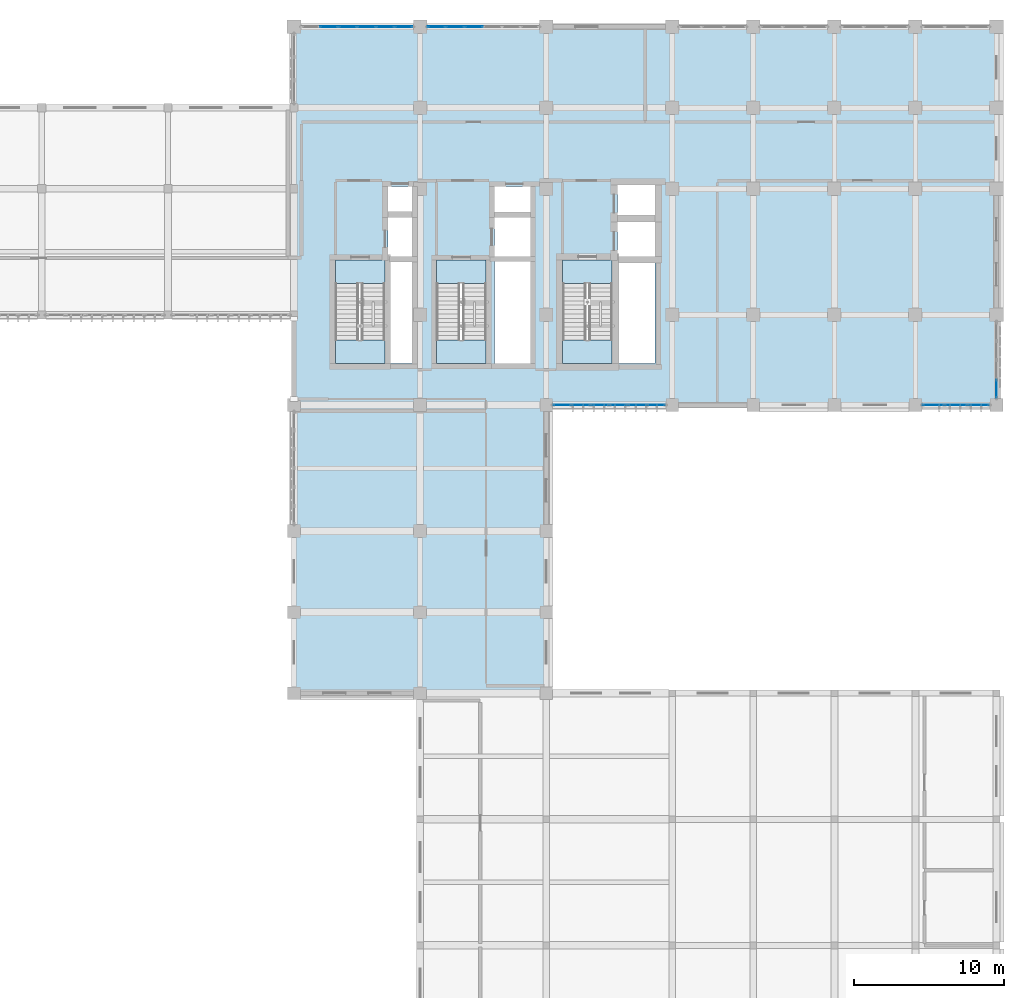
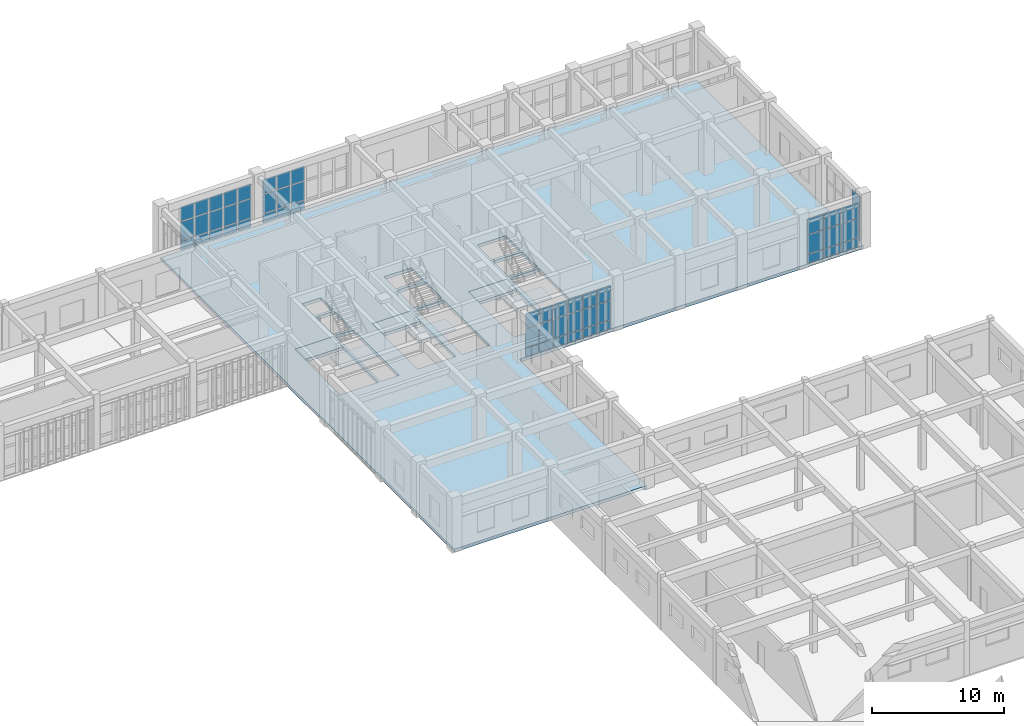
# One storey, part 78 of 106: 54 plates, 7 slabs, 8 elements without a shape of their own.
"""IFC4 building model written with IfcOpenShell, lengths in metres."""

from ifc_helpers import new_model, si_unit, direction, frame, origin, origin_2d, place, context, subcontext, project, spatial, polyline, rectangle, outline, extrude, material, layer, layer_set, type_object, element, aggregate, save


model = new_model("IFC4")

# Units and contexts
model_context = context("Model", 3, precision=1e-05, world=origin(), true_north=direction((0.0, 1.0)))
body_context = subcontext(model_context, "Body", "Model", "MODEL_VIEW")
ifc_project = project(units=[si_unit("LENGTHUNIT", "METRE"), si_unit("AREAUNIT", "SQUARE_METRE"), si_unit("VOLUMEUNIT", "CUBIC_METRE"), si_unit("PLANEANGLEUNIT", "RADIAN"), si_unit("MASSUNIT", "GRAM", prefix="KILO")], contexts=[model_context])

# Site, building, storey
site_placement = place(None, origin())
site = spatial("IfcSite", under=ifc_project, at=site_placement, CompositionType="ELEMENT")
building_placement = place(site_placement, origin())
building = spatial("IfcBuilding", under=site, at=building_placement, Name="Krzemoval Escarpment Law Courts", CompositionType="ELEMENT")
storey_placement = place(building_placement, frame((0.0, 0.0, 5.10009765625)))
storey = spatial("IfcBuildingStorey", under=building, at=storey_placement, Name="L01", CompositionType="ELEMENT", Elevation=5.10009765625)

# Curtain wall, plates
ifc_material_1 = material(Name="Aluminium 6063-T6", Category="aluminium")
ifc_layer_1 = layer(ifc_material_1, 0.239990234375)
ifc_layer_set_1 = layer_set([ifc_layer_1], Name="Aluminium 6063-T6")
curtain_wall_type = type_object("IfcCurtainWallType", Name="CW-CHMB-4800", PredefinedType="USERDEFINED", material=ifc_layer_set_1)
curtain_wall_1_placement = place(storey_placement, origin())
curtain_wall_1 = element("IfcCurtainWall", 1, at=curtain_wall_1_placement, inside=storey, type_object=curtain_wall_type, Name="Unitised Curtain Wall FCW-L01-032", ObjectType="UNITISED_CURTAIN_WALL", PredefinedType="USERDEFINED")
ifc_material_2 = material(Name="Triple Glazing IGU", Category="glass")
ifc_layer_2 = layer(ifc_material_2, 0.048095703125)
ifc_layer_set_2 = layer_set([ifc_layer_2], Name="Triple Glazing IGU")
plate_type = type_object("IfcPlateType", Name="CWP-GLZ-48", PredefinedType="CURTAIN_PANEL", material=ifc_layer_set_2)
plate_1_placement = place(storey_placement, frame((128.324951171875, 118.800048828125, 0.074951171875), z_axis=(0.0, 0.0, 1.0), x_axis=(1.0, 0.0, 0.0)))
plate_1 = element("IfcPlate", 2, at=plate_1_placement, type_object=plate_type, Name="FCW-L01-032 panel 2.1", PredefinedType="CURTAIN_PANEL", context=body_context, shape_type="SweptSolid", body=[
    extrude(rectangle(XDim=1.175048828125, YDim=0.048095703125, at=origin_2d()), origin(), (0.0, 0.0, 1.0), 0.78759765625),
])
plate_2_placement = place(storey_placement, frame((128.324951171875, 118.800048828125, 0.937255859375), z_axis=(0.0, 0.0, 1.0), x_axis=(1.0, 0.0, 0.0)))
plate_2 = element("IfcPlate", 3, at=plate_2_placement, type_object=plate_type, Name="FCW-L01-032 panel 2.2", PredefinedType="CURTAIN_PANEL", context=body_context, shape_type="SweptSolid", body=[
    extrude(rectangle(XDim=1.175048828125, YDim=0.048095703125, at=origin_2d()), origin(), (0.0, 0.0, 1.0), 1.72509765625),
])
plate_3_placement = place(storey_placement, frame((128.324951171875, 118.800048828125, 2.7373046875), z_axis=(0.0, 0.0, 1.0), x_axis=(1.0, 0.0, 0.0)))
plate_3 = element("IfcPlate", 4, at=plate_3_placement, type_object=plate_type, Name="FCW-L01-032 panel 2.3", PredefinedType="CURTAIN_PANEL", context=body_context, shape_type="SweptSolid", body=[
    extrude(rectangle(XDim=1.175048828125, YDim=0.048095703125, at=origin_2d()), origin(), (0.0, 0.0, 1.0), 1.3076171875),
])
plate_4_placement = place(storey_placement, frame((129.574951171875, 118.800048828125, 0.074951171875), z_axis=(0.0, 0.0, 1.0), x_axis=(1.0, 0.0, 0.0)))
plate_4 = element("IfcPlate", 5, at=plate_4_placement, type_object=plate_type, Name="FCW-L01-032 panel 3.1", PredefinedType="CURTAIN_PANEL", context=body_context, shape_type="SweptSolid", body=[
    extrude(rectangle(XDim=1.175048828125, YDim=0.048095703125, at=origin_2d()), origin(), (0.0, 0.0, 1.0), 0.78759765625),
])
plate_5_placement = place(storey_placement, frame((129.574951171875, 118.800048828125, 0.937255859375), z_axis=(0.0, 0.0, 1.0), x_axis=(1.0, 0.0, 0.0)))
plate_5 = element("IfcPlate", 6, at=plate_5_placement, type_object=plate_type, Name="FCW-L01-032 panel 3.2", PredefinedType="CURTAIN_PANEL", context=body_context, shape_type="SweptSolid", body=[
    extrude(rectangle(XDim=1.175048828125, YDim=0.048095703125, at=origin_2d()), origin(), (0.0, 0.0, 1.0), 1.72509765625),
])
plate_6_placement = place(storey_placement, frame((129.574951171875, 118.800048828125, 2.7373046875), z_axis=(0.0, 0.0, 1.0), x_axis=(1.0, 0.0, 0.0)))
plate_6 = element("IfcPlate", 7, at=plate_6_placement, type_object=plate_type, Name="FCW-L01-032 panel 3.3", PredefinedType="CURTAIN_PANEL", context=body_context, shape_type="SweptSolid", body=[
    extrude(rectangle(XDim=1.175048828125, YDim=0.048095703125, at=origin_2d()), origin(), (0.0, 0.0, 1.0), 1.3076171875),
])
plate_7_placement = place(storey_placement, frame((130.824951171875, 118.800048828125, 0.074951171875), z_axis=(0.0, 0.0, 1.0), x_axis=(1.0, 0.0, 0.0)))
plate_7 = element("IfcPlate", 8, at=plate_7_placement, type_object=plate_type, Name="FCW-L01-032 panel 4.1", PredefinedType="CURTAIN_PANEL", context=body_context, shape_type="SweptSolid", body=[
    extrude(rectangle(XDim=1.175048828125, YDim=0.048095703125, at=origin_2d()), origin(), (0.0, 0.0, 1.0), 0.78759765625),
])
plate_8_placement = place(storey_placement, frame((130.824951171875, 118.800048828125, 0.937255859375), z_axis=(0.0, 0.0, 1.0), x_axis=(1.0, 0.0, 0.0)))
plate_8 = element("IfcPlate", 9, at=plate_8_placement, type_object=plate_type, Name="FCW-L01-032 panel 4.2", PredefinedType="CURTAIN_PANEL", context=body_context, shape_type="SweptSolid", body=[
    extrude(rectangle(XDim=1.175048828125, YDim=0.048095703125, at=origin_2d()), origin(), (0.0, 0.0, 1.0), 1.72509765625),
])
plate_9_placement = place(storey_placement, frame((130.824951171875, 118.800048828125, 2.7373046875), z_axis=(0.0, 0.0, 1.0), x_axis=(1.0, 0.0, 0.0)))
plate_9 = element("IfcPlate", 10, at=plate_9_placement, type_object=plate_type, Name="FCW-L01-032 panel 4.3", PredefinedType="CURTAIN_PANEL", context=body_context, shape_type="SweptSolid", body=[
    extrude(rectangle(XDim=1.175048828125, YDim=0.048095703125, at=origin_2d()), origin(), (0.0, 0.0, 1.0), 1.3076171875),
])
plate_10_placement = place(storey_placement, frame((132.074951171875, 118.800048828125, 0.074951171875), z_axis=(0.0, 0.0, 1.0), x_axis=(1.0, 0.0, 0.0)))
plate_10 = element("IfcPlate", 11, at=plate_10_placement, type_object=plate_type, Name="FCW-L01-032 panel 5.1", PredefinedType="CURTAIN_PANEL", context=body_context, shape_type="SweptSolid", body=[
    extrude(rectangle(XDim=1.175048828125, YDim=0.048095703125, at=origin_2d()), origin(), (0.0, 0.0, 1.0), 0.78759765625),
])
plate_11_placement = place(storey_placement, frame((132.074951171875, 118.800048828125, 0.937255859375), z_axis=(0.0, 0.0, 1.0), x_axis=(1.0, 0.0, 0.0)))
plate_11 = element("IfcPlate", 12, at=plate_11_placement, type_object=plate_type, Name="FCW-L01-032 panel 5.2", PredefinedType="CURTAIN_PANEL", context=body_context, shape_type="SweptSolid", body=[
    extrude(rectangle(XDim=1.175048828125, YDim=0.048095703125, at=origin_2d()), origin(), (0.0, 0.0, 1.0), 1.72509765625),
])
plate_12_placement = place(storey_placement, frame((132.074951171875, 118.800048828125, 2.7373046875), z_axis=(0.0, 0.0, 1.0), x_axis=(1.0, 0.0, 0.0)))
plate_12 = element("IfcPlate", 13, at=plate_12_placement, type_object=plate_type, Name="FCW-L01-032 panel 5.3", PredefinedType="CURTAIN_PANEL", context=body_context, shape_type="SweptSolid", body=[
    extrude(rectangle(XDim=1.175048828125, YDim=0.048095703125, at=origin_2d()), origin(), (0.0, 0.0, 1.0), 1.3076171875),
])
plate_13_placement = place(storey_placement, frame((133.30615234375, 118.800048828125, 0.074951171875), z_axis=(0.0, 0.0, 1.0), x_axis=(1.0, 0.0, 0.0)))
plate_13 = element("IfcPlate", 14, at=plate_13_placement, type_object=plate_type, Name="FCW-L01-032 panel 6.1", PredefinedType="CURTAIN_PANEL", context=body_context, shape_type="SweptSolid", body=[
    extrude(rectangle(XDim=1.137451171875, YDim=0.048095703125, at=origin_2d()), origin(), (0.0, 0.0, 1.0), 0.78759765625),
])
plate_14_placement = place(storey_placement, frame((133.30615234375, 118.800048828125, 0.937255859375), z_axis=(0.0, 0.0, 1.0), x_axis=(1.0, 0.0, 0.0)))
plate_14 = element("IfcPlate", 15, at=plate_14_placement, type_object=plate_type, Name="FCW-L01-032 panel 6.2", PredefinedType="CURTAIN_PANEL", context=body_context, shape_type="SweptSolid", body=[
    extrude(rectangle(XDim=1.137451171875, YDim=0.048095703125, at=origin_2d()), origin(), (0.0, 0.0, 1.0), 1.72509765625),
])
plate_15_placement = place(storey_placement, frame((133.30615234375, 118.800048828125, 2.7373046875), z_axis=(0.0, 0.0, 1.0), x_axis=(1.0, 0.0, 0.0)))
plate_15 = element("IfcPlate", 16, at=plate_15_placement, type_object=plate_type, Name="FCW-L01-032 panel 6.3", PredefinedType="CURTAIN_PANEL", context=body_context, shape_type="SweptSolid", body=[
    extrude(rectangle(XDim=1.137451171875, YDim=0.048095703125, at=origin_2d()), origin(), (0.0, 0.0, 1.0), 1.3076171875),
])
aggregate(curtain_wall_1, [plate_1, plate_2, plate_3, plate_4, plate_5, plate_6, plate_7, plate_8, plate_9, plate_10, plate_11, plate_12, plate_13, plate_14, plate_15])

curtain_wall_2_placement = place(storey_placement, origin())
curtain_wall_2 = element("IfcCurtainWall", 17, at=curtain_wall_2_placement, inside=storey, type_object=curtain_wall_type, Name="Unitised Curtain Wall FCW-L01-033", ObjectType="UNITISED_CURTAIN_WALL", PredefinedType="USERDEFINED")
plate_16_placement = place(storey_placement, frame((135.49365234375, 118.800048828125, 0.074951171875), z_axis=(0.0, 0.0, 1.0), x_axis=(1.0, 0.0, 0.0)))
plate_16 = element("IfcPlate", 18, at=plate_16_placement, type_object=plate_type, Name="FCW-L01-033 panel 1.1", PredefinedType="CURTAIN_PANEL", context=body_context, shape_type="SweptSolid", body=[
    extrude(rectangle(XDim=1.137451171875, YDim=0.048095703125, at=origin_2d()), origin(), (0.0, 0.0, 1.0), 0.78759765625),
])
plate_17_placement = place(storey_placement, frame((135.49365234375, 118.800048828125, 0.937255859375), z_axis=(0.0, 0.0, 1.0), x_axis=(1.0, 0.0, 0.0)))
plate_17 = element("IfcPlate", 19, at=plate_17_placement, type_object=plate_type, Name="FCW-L01-033 panel 1.2", PredefinedType="CURTAIN_PANEL", context=body_context, shape_type="SweptSolid", body=[
    extrude(rectangle(XDim=1.137451171875, YDim=0.048095703125, at=origin_2d()), origin(), (0.0, 0.0, 1.0), 1.72509765625),
])
plate_18_placement = place(storey_placement, frame((135.49365234375, 118.800048828125, 2.7373046875), z_axis=(0.0, 0.0, 1.0), x_axis=(1.0, 0.0, 0.0)))
plate_18 = element("IfcPlate", 20, at=plate_18_placement, type_object=plate_type, Name="FCW-L01-033 panel 1.3", PredefinedType="CURTAIN_PANEL", context=body_context, shape_type="SweptSolid", body=[
    extrude(rectangle(XDim=1.137451171875, YDim=0.048095703125, at=origin_2d()), origin(), (0.0, 0.0, 1.0), 1.3076171875),
])
plate_19_placement = place(storey_placement, frame((136.72509765625, 118.800048828125, 0.074951171875), z_axis=(0.0, 0.0, 1.0), x_axis=(1.0, 0.0, 0.0)))
plate_19 = element("IfcPlate", 21, at=plate_19_placement, type_object=plate_type, Name="FCW-L01-033 panel 2.1", PredefinedType="CURTAIN_PANEL", context=body_context, shape_type="SweptSolid", body=[
    extrude(rectangle(XDim=1.175048828125, YDim=0.048095703125, at=origin_2d()), origin(), (0.0, 0.0, 1.0), 0.78759765625),
])
plate_20_placement = place(storey_placement, frame((136.72509765625, 118.800048828125, 0.937255859375), z_axis=(0.0, 0.0, 1.0), x_axis=(1.0, 0.0, 0.0)))
plate_20 = element("IfcPlate", 22, at=plate_20_placement, type_object=plate_type, Name="FCW-L01-033 panel 2.2", PredefinedType="CURTAIN_PANEL", context=body_context, shape_type="SweptSolid", body=[
    extrude(rectangle(XDim=1.175048828125, YDim=0.048095703125, at=origin_2d()), origin(), (0.0, 0.0, 1.0), 1.72509765625),
])
plate_21_placement = place(storey_placement, frame((136.72509765625, 118.800048828125, 2.7373046875), z_axis=(0.0, 0.0, 1.0), x_axis=(1.0, 0.0, 0.0)))
plate_21 = element("IfcPlate", 23, at=plate_21_placement, type_object=plate_type, Name="FCW-L01-033 panel 2.3", PredefinedType="CURTAIN_PANEL", context=body_context, shape_type="SweptSolid", body=[
    extrude(rectangle(XDim=1.175048828125, YDim=0.048095703125, at=origin_2d()), origin(), (0.0, 0.0, 1.0), 1.3076171875),
])
plate_22_placement = place(storey_placement, frame((137.97509765625, 118.800048828125, 0.074951171875), z_axis=(0.0, 0.0, 1.0), x_axis=(1.0, 0.0, 0.0)))
plate_22 = element("IfcPlate", 24, at=plate_22_placement, type_object=plate_type, Name="FCW-L01-033 panel 3.1", PredefinedType="CURTAIN_PANEL", context=body_context, shape_type="SweptSolid", body=[
    extrude(rectangle(XDim=1.175048828125, YDim=0.048095703125, at=origin_2d()), origin(), (0.0, 0.0, 1.0), 0.78759765625),
])
plate_23_placement = place(storey_placement, frame((137.97509765625, 118.800048828125, 0.937255859375), z_axis=(0.0, 0.0, 1.0), x_axis=(1.0, 0.0, 0.0)))
plate_23 = element("IfcPlate", 25, at=plate_23_placement, type_object=plate_type, Name="FCW-L01-033 panel 3.2", PredefinedType="CURTAIN_PANEL", context=body_context, shape_type="SweptSolid", body=[
    extrude(rectangle(XDim=1.175048828125, YDim=0.048095703125, at=origin_2d()), origin(), (0.0, 0.0, 1.0), 1.72509765625),
])
plate_24_placement = place(storey_placement, frame((137.97509765625, 118.800048828125, 2.7373046875), z_axis=(0.0, 0.0, 1.0), x_axis=(1.0, 0.0, 0.0)))
plate_24 = element("IfcPlate", 26, at=plate_24_placement, type_object=plate_type, Name="FCW-L01-033 panel 3.3", PredefinedType="CURTAIN_PANEL", context=body_context, shape_type="SweptSolid", body=[
    extrude(rectangle(XDim=1.175048828125, YDim=0.048095703125, at=origin_2d()), origin(), (0.0, 0.0, 1.0), 1.3076171875),
])
aggregate(curtain_wall_2, [plate_16, plate_17, plate_18, plate_19, plate_20, plate_21, plate_22, plate_23, plate_24])

curtain_wall_3_placement = place(storey_placement, origin())
curtain_wall_3 = element("IfcCurtainWall", 27, at=curtain_wall_3_placement, inside=storey, type_object=curtain_wall_type, Name="Unitised Curtain Wall FCW-L01-038", ObjectType="UNITISED_CURTAIN_WALL", PredefinedType="USERDEFINED")
plate_25_placement = place(storey_placement, frame((172.800048828125, 94.684326171875, 0.074951171875), z_axis=(0.0, 0.0, 1.0), x_axis=(0.0, -1.0, 0.0)))
plate_25 = element("IfcPlate", 28, at=plate_25_placement, type_object=plate_type, Name="FCW-L01-038 panel 4.1", PredefinedType="CURTAIN_PANEL", context=body_context, shape_type="SweptSolid", body=[
    extrude(rectangle(XDim=1.168701171875, YDim=0.048095703125, at=origin_2d()), origin(), (0.0, 0.0, 1.0), 0.78759765625),
])
plate_26_placement = place(storey_placement, frame((172.800048828125, 94.684326171875, 0.937255859375), z_axis=(0.0, 0.0, 1.0), x_axis=(0.0, -1.0, 0.0)))
plate_26 = element("IfcPlate", 29, at=plate_26_placement, type_object=plate_type, Name="FCW-L01-038 panel 4.2", PredefinedType="CURTAIN_PANEL", context=body_context, shape_type="SweptSolid", body=[
    extrude(rectangle(XDim=1.168701171875, YDim=0.048095703125, at=origin_2d()), origin(), (0.0, 0.0, 1.0), 1.72509765625),
])
plate_27_placement = place(storey_placement, frame((172.800048828125, 94.684326171875, 2.7373046875), z_axis=(0.0, 0.0, 1.0), x_axis=(0.0, -1.0, 0.0)))
plate_27 = element("IfcPlate", 30, at=plate_27_placement, type_object=plate_type, Name="FCW-L01-038 panel 4.3", PredefinedType="CURTAIN_PANEL", context=body_context, shape_type="SweptSolid", body=[
    extrude(rectangle(XDim=1.168701171875, YDim=0.048095703125, at=origin_2d()), origin(), (0.0, 0.0, 1.0), 1.45751953125),
])
aggregate(curtain_wall_3, [plate_25, plate_26, plate_27])

curtain_wall_4_placement = place(storey_placement, origin())
curtain_wall_4 = element("IfcCurtainWall", 31, at=curtain_wall_4_placement, inside=storey, type_object=curtain_wall_type, Name="Unitised Curtain Wall FCW-L01-039", ObjectType="UNITISED_CURTAIN_WALL", PredefinedType="USERDEFINED")
plate_28_placement = place(storey_placement, frame((171.597900390625, 93.60009765625, 0.074951171875), z_axis=(0.0, 0.0, 1.0), x_axis=(-1.0, 0.0, 0.0)))
plate_28 = element("IfcPlate", 32, at=plate_28_placement, type_object=plate_type, Name="FCW-L01-039 panel 1.1", PredefinedType="CURTAIN_PANEL", context=body_context, shape_type="SweptSolid", body=[
    extrude(rectangle(XDim=1.404052734375, YDim=0.048095703125, at=origin_2d()), origin(), (0.0, 0.0, 1.0), 0.78759765625),
])
plate_29_placement = place(storey_placement, frame((171.597900390625, 93.60009765625, 0.937255859375), z_axis=(0.0, 0.0, 1.0), x_axis=(-1.0, 0.0, 0.0)))
plate_29 = element("IfcPlate", 33, at=plate_29_placement, type_object=plate_type, Name="FCW-L01-039 panel 1.2", PredefinedType="CURTAIN_PANEL", context=body_context, shape_type="SweptSolid", body=[
    extrude(rectangle(XDim=1.404052734375, YDim=0.048095703125, at=origin_2d()), origin(), (0.0, 0.0, 1.0), 1.72509765625),
])
plate_30_placement = place(storey_placement, frame((171.597900390625, 93.60009765625, 2.7373046875), z_axis=(0.0, 0.0, 1.0), x_axis=(-1.0, 0.0, 0.0)))
plate_30 = element("IfcPlate", 34, at=plate_30_placement, type_object=plate_type, Name="FCW-L01-039 panel 1.3", PredefinedType="CURTAIN_PANEL", context=body_context, shape_type="SweptSolid", body=[
    extrude(rectangle(XDim=1.404052734375, YDim=0.048095703125, at=origin_2d()), origin(), (0.0, 0.0, 1.0), 1.407470703125),
])
plate_31_placement = place(storey_placement, frame((170.10009765625, 93.60009765625, 0.074951171875), z_axis=(0.0, 0.0, 1.0), x_axis=(-1.0, 0.0, 0.0)))
plate_31 = element("IfcPlate", 35, at=plate_31_placement, type_object=plate_type, Name="FCW-L01-039 panel 2.1", PredefinedType="CURTAIN_PANEL", context=body_context, shape_type="SweptSolid", body=[
    extrude(rectangle(XDim=1.441650390625, YDim=0.048095703125, at=origin_2d()), origin(), (0.0, 0.0, 1.0), 0.78759765625),
])
plate_32_placement = place(storey_placement, frame((170.10009765625, 93.60009765625, 0.937255859375), z_axis=(0.0, 0.0, 1.0), x_axis=(-1.0, 0.0, 0.0)))
plate_32 = element("IfcPlate", 36, at=plate_32_placement, type_object=plate_type, Name="FCW-L01-039 panel 2.2", PredefinedType="CURTAIN_PANEL", context=body_context, shape_type="SweptSolid", body=[
    extrude(rectangle(XDim=1.441650390625, YDim=0.048095703125, at=origin_2d()), origin(), (0.0, 0.0, 1.0), 1.72509765625),
])
plate_33_placement = place(storey_placement, frame((170.10009765625, 93.60009765625, 2.7373046875), z_axis=(0.0, 0.0, 1.0), x_axis=(-1.0, 0.0, 0.0)))
plate_33 = element("IfcPlate", 37, at=plate_33_placement, type_object=plate_type, Name="FCW-L01-039 panel 2.3", PredefinedType="CURTAIN_PANEL", context=body_context, shape_type="SweptSolid", body=[
    extrude(rectangle(XDim=1.441650390625, YDim=0.048095703125, at=origin_2d()), origin(), (0.0, 0.0, 1.0), 1.407470703125),
])
plate_34_placement = place(storey_placement, frame((168.60205078125, 93.60009765625, 0.074951171875), z_axis=(0.0, 0.0, 1.0), x_axis=(-1.0, 0.0, 0.0)))
plate_34 = element("IfcPlate", 38, at=plate_34_placement, type_object=plate_type, Name="FCW-L01-039 panel 3.1", PredefinedType="CURTAIN_PANEL", context=body_context, shape_type="SweptSolid", body=[
    extrude(rectangle(XDim=1.404052734375, YDim=0.048095703125, at=origin_2d()), origin(), (0.0, 0.0, 1.0), 0.78759765625),
])
plate_35_placement = place(storey_placement, frame((168.60205078125, 93.60009765625, 0.937255859375), z_axis=(0.0, 0.0, 1.0), x_axis=(-1.0, 0.0, 0.0)))
plate_35 = element("IfcPlate", 39, at=plate_35_placement, type_object=plate_type, Name="FCW-L01-039 panel 3.2", PredefinedType="CURTAIN_PANEL", context=body_context, shape_type="SweptSolid", body=[
    extrude(rectangle(XDim=1.404052734375, YDim=0.048095703125, at=origin_2d()), origin(), (0.0, 0.0, 1.0), 1.72509765625),
])
plate_36_placement = place(storey_placement, frame((168.60205078125, 93.60009765625, 2.7373046875), z_axis=(0.0, 0.0, 1.0), x_axis=(-1.0, 0.0, 0.0)))
plate_36 = element("IfcPlate", 40, at=plate_36_placement, type_object=plate_type, Name="FCW-L01-039 panel 3.3", PredefinedType="CURTAIN_PANEL", context=body_context, shape_type="SweptSolid", body=[
    extrude(rectangle(XDim=1.404052734375, YDim=0.048095703125, at=origin_2d()), origin(), (0.0, 0.0, 1.0), 1.407470703125),
])
aggregate(curtain_wall_4, [plate_28, plate_29, plate_30, plate_31, plate_32, plate_33, plate_34, plate_35, plate_36])

curtain_wall_5_placement = place(storey_placement, origin())
curtain_wall_5 = element("IfcCurtainWall", 41, at=curtain_wall_5_placement, inside=storey, type_object=curtain_wall_type, Name="Unitised Curtain Wall FCW-L01-040", ObjectType="UNITISED_CURTAIN_WALL", PredefinedType="USERDEFINED")
plate_37_placement = place(storey_placement, frame((150.127197265625, 93.60009765625, 0.074951171875), z_axis=(0.0, 0.0, 1.0), x_axis=(-1.0, 0.0, 0.0)))
plate_37 = element("IfcPlate", 42, at=plate_37_placement, type_object=plate_type, Name="FCW-L01-040 panel 1.1", PredefinedType="CURTAIN_PANEL", context=body_context, shape_type="SweptSolid", body=[
    extrude(rectangle(XDim=1.145751953125, YDim=0.048095703125, at=origin_2d()), origin(), (0.0, 0.0, 1.0), 0.78759765625),
])
plate_38_placement = place(storey_placement, frame((150.127197265625, 93.60009765625, 0.937255859375), z_axis=(0.0, 0.0, 1.0), x_axis=(-1.0, 0.0, 0.0)))
plate_38 = element("IfcPlate", 43, at=plate_38_placement, type_object=plate_type, Name="FCW-L01-040 panel 1.2", PredefinedType="CURTAIN_PANEL", context=body_context, shape_type="SweptSolid", body=[
    extrude(rectangle(XDim=1.145751953125, YDim=0.048095703125, at=origin_2d()), origin(), (0.0, 0.0, 1.0), 1.72509765625),
])
plate_39_placement = place(storey_placement, frame((150.127197265625, 93.60009765625, 2.7373046875), z_axis=(0.0, 0.0, 1.0), x_axis=(-1.0, 0.0, 0.0)))
plate_39 = element("IfcPlate", 44, at=plate_39_placement, type_object=plate_type, Name="FCW-L01-040 panel 1.3", PredefinedType="CURTAIN_PANEL", context=body_context, shape_type="SweptSolid", body=[
    extrude(rectangle(XDim=1.145751953125, YDim=0.048095703125, at=origin_2d()), origin(), (0.0, 0.0, 1.0), 1.3076171875),
])
plate_40_placement = place(storey_placement, frame((148.887451171875, 93.60009765625, 0.074951171875), z_axis=(0.0, 0.0, 1.0), x_axis=(-1.0, 0.0, 0.0)))
plate_40 = element("IfcPlate", 45, at=plate_40_placement, type_object=plate_type, Name="FCW-L01-040 panel 2.1", PredefinedType="CURTAIN_PANEL", context=body_context, shape_type="SweptSolid", body=[
    extrude(rectangle(XDim=1.183349609375, YDim=0.048095703125, at=origin_2d()), origin(), (0.0, 0.0, 1.0), 0.78759765625),
])
plate_41_placement = place(storey_placement, frame((148.887451171875, 93.60009765625, 0.937255859375), z_axis=(0.0, 0.0, 1.0), x_axis=(-1.0, 0.0, 0.0)))
plate_41 = element("IfcPlate", 46, at=plate_41_placement, type_object=plate_type, Name="FCW-L01-040 panel 2.2", PredefinedType="CURTAIN_PANEL", context=body_context, shape_type="SweptSolid", body=[
    extrude(rectangle(XDim=1.183349609375, YDim=0.048095703125, at=origin_2d()), origin(), (0.0, 0.0, 1.0), 1.72509765625),
])
plate_42_placement = place(storey_placement, frame((148.887451171875, 93.60009765625, 2.7373046875), z_axis=(0.0, 0.0, 1.0), x_axis=(-1.0, 0.0, 0.0)))
plate_42 = element("IfcPlate", 47, at=plate_42_placement, type_object=plate_type, Name="FCW-L01-040 panel 2.3", PredefinedType="CURTAIN_PANEL", context=body_context, shape_type="SweptSolid", body=[
    extrude(rectangle(XDim=1.183349609375, YDim=0.048095703125, at=origin_2d()), origin(), (0.0, 0.0, 1.0), 1.3076171875),
])
plate_43_placement = place(storey_placement, frame((147.629150390625, 93.60009765625, 0.074951171875), z_axis=(0.0, 0.0, 1.0), x_axis=(-1.0, 0.0, 0.0)))
plate_43 = element("IfcPlate", 48, at=plate_43_placement, type_object=plate_type, Name="FCW-L01-040 panel 3.1", PredefinedType="CURTAIN_PANEL", context=body_context, shape_type="SweptSolid", body=[
    extrude(rectangle(XDim=1.183349609375, YDim=0.048095703125, at=origin_2d()), origin(), (0.0, 0.0, 1.0), 0.78759765625),
])
plate_44_placement = place(storey_placement, frame((147.629150390625, 93.60009765625, 0.937255859375), z_axis=(0.0, 0.0, 1.0), x_axis=(-1.0, 0.0, 0.0)))
plate_44 = element("IfcPlate", 49, at=plate_44_placement, type_object=plate_type, Name="FCW-L01-040 panel 3.2", PredefinedType="CURTAIN_PANEL", context=body_context, shape_type="SweptSolid", body=[
    extrude(rectangle(XDim=1.183349609375, YDim=0.048095703125, at=origin_2d()), origin(), (0.0, 0.0, 1.0), 1.72509765625),
])
plate_45_placement = place(storey_placement, frame((147.629150390625, 93.60009765625, 2.7373046875), z_axis=(0.0, 0.0, 1.0), x_axis=(-1.0, 0.0, 0.0)))
plate_45 = element("IfcPlate", 50, at=plate_45_placement, type_object=plate_type, Name="FCW-L01-040 panel 3.3", PredefinedType="CURTAIN_PANEL", context=body_context, shape_type="SweptSolid", body=[
    extrude(rectangle(XDim=1.183349609375, YDim=0.048095703125, at=origin_2d()), origin(), (0.0, 0.0, 1.0), 1.3076171875),
])
plate_46_placement = place(storey_placement, frame((146.370849609375, 93.60009765625, 0.074951171875), z_axis=(0.0, 0.0, 1.0), x_axis=(-1.0, 0.0, 0.0)))
plate_46 = element("IfcPlate", 51, at=plate_46_placement, type_object=plate_type, Name="FCW-L01-040 panel 4.1", PredefinedType="CURTAIN_PANEL", context=body_context, shape_type="SweptSolid", body=[
    extrude(rectangle(XDim=1.183349609375, YDim=0.048095703125, at=origin_2d()), origin(), (0.0, 0.0, 1.0), 0.78759765625),
])
plate_47_placement = place(storey_placement, frame((146.370849609375, 93.60009765625, 0.937255859375), z_axis=(0.0, 0.0, 1.0), x_axis=(-1.0, 0.0, 0.0)))
plate_47 = element("IfcPlate", 52, at=plate_47_placement, type_object=plate_type, Name="FCW-L01-040 panel 4.2", PredefinedType="CURTAIN_PANEL", context=body_context, shape_type="SweptSolid", body=[
    extrude(rectangle(XDim=1.183349609375, YDim=0.048095703125, at=origin_2d()), origin(), (0.0, 0.0, 1.0), 1.72509765625),
])
plate_48_placement = place(storey_placement, frame((146.370849609375, 93.60009765625, 2.7373046875), z_axis=(0.0, 0.0, 1.0), x_axis=(-1.0, 0.0, 0.0)))
plate_48 = element("IfcPlate", 53, at=plate_48_placement, type_object=plate_type, Name="FCW-L01-040 panel 4.3", PredefinedType="CURTAIN_PANEL", context=body_context, shape_type="SweptSolid", body=[
    extrude(rectangle(XDim=1.183349609375, YDim=0.048095703125, at=origin_2d()), origin(), (0.0, 0.0, 1.0), 1.3076171875),
])
plate_49_placement = place(storey_placement, frame((145.112548828125, 93.60009765625, 0.074951171875), z_axis=(0.0, 0.0, 1.0), x_axis=(-1.0, 0.0, 0.0)))
plate_49 = element("IfcPlate", 54, at=plate_49_placement, type_object=plate_type, Name="FCW-L01-040 panel 5.1", PredefinedType="CURTAIN_PANEL", context=body_context, shape_type="SweptSolid", body=[
    extrude(rectangle(XDim=1.183349609375, YDim=0.048095703125, at=origin_2d()), origin(), (0.0, 0.0, 1.0), 0.78759765625),
])
plate_50_placement = place(storey_placement, frame((145.112548828125, 93.60009765625, 0.937255859375), z_axis=(0.0, 0.0, 1.0), x_axis=(-1.0, 0.0, 0.0)))
plate_50 = element("IfcPlate", 55, at=plate_50_placement, type_object=plate_type, Name="FCW-L01-040 panel 5.2", PredefinedType="CURTAIN_PANEL", context=body_context, shape_type="SweptSolid", body=[
    extrude(rectangle(XDim=1.183349609375, YDim=0.048095703125, at=origin_2d()), origin(), (0.0, 0.0, 1.0), 1.72509765625),
])
plate_51_placement = place(storey_placement, frame((145.112548828125, 93.60009765625, 2.7373046875), z_axis=(0.0, 0.0, 1.0), x_axis=(-1.0, 0.0, 0.0)))
plate_51 = element("IfcPlate", 56, at=plate_51_placement, type_object=plate_type, Name="FCW-L01-040 panel 5.3", PredefinedType="CURTAIN_PANEL", context=body_context, shape_type="SweptSolid", body=[
    extrude(rectangle(XDim=1.183349609375, YDim=0.048095703125, at=origin_2d()), origin(), (0.0, 0.0, 1.0), 1.3076171875),
])
plate_52_placement = place(storey_placement, frame((143.872802734375, 93.60009765625, 0.074951171875), z_axis=(0.0, 0.0, 1.0), x_axis=(-1.0, 0.0, 0.0)))
plate_52 = element("IfcPlate", 57, at=plate_52_placement, type_object=plate_type, Name="FCW-L01-040 panel 6.1", PredefinedType="CURTAIN_PANEL", context=body_context, shape_type="SweptSolid", body=[
    extrude(rectangle(XDim=1.145751953125, YDim=0.048095703125, at=origin_2d()), origin(), (0.0, 0.0, 1.0), 0.78759765625),
])
plate_53_placement = place(storey_placement, frame((143.872802734375, 93.60009765625, 0.937255859375), z_axis=(0.0, 0.0, 1.0), x_axis=(-1.0, 0.0, 0.0)))
plate_53 = element("IfcPlate", 58, at=plate_53_placement, type_object=plate_type, Name="FCW-L01-040 panel 6.2", PredefinedType="CURTAIN_PANEL", context=body_context, shape_type="SweptSolid", body=[
    extrude(rectangle(XDim=1.145751953125, YDim=0.048095703125, at=origin_2d()), origin(), (0.0, 0.0, 1.0), 1.72509765625),
])
plate_54_placement = place(storey_placement, frame((143.872802734375, 93.60009765625, 2.7373046875), z_axis=(0.0, 0.0, 1.0), x_axis=(-1.0, 0.0, 0.0)))
plate_54 = element("IfcPlate", 59, at=plate_54_placement, type_object=plate_type, Name="FCW-L01-040 panel 6.3", PredefinedType="CURTAIN_PANEL", context=body_context, shape_type="SweptSolid", body=[
    extrude(rectangle(XDim=1.145751953125, YDim=0.048095703125, at=origin_2d()), origin(), (0.0, 0.0, 1.0), 1.3076171875),
])
aggregate(curtain_wall_5, [plate_37, plate_38, plate_39, plate_40, plate_41, plate_42, plate_43, plate_44, plate_45, plate_46, plate_47, plate_48, plate_49, plate_50, plate_51, plate_52, plate_53, plate_54])

# Stair, slab
ifc_material_3 = material(Name="Concrete C40/50", Category="concrete")
stair_type = type_object("IfcStairType", Name="STR-CORE-1550", PredefinedType="HALF_TURN_STAIR", material=ifc_material_3)
stair_1_placement = place(storey_placement, origin())
stair_1 = element("IfcStair", 60, at=stair_1_placement, inside=storey, type_object=stair_type, Name="L01 ST1", PredefinedType="HALF_TURN_STAIR")
ifc_material_4 = material(Name="Concrete C40/50", Category="concrete")
ifc_layer_3 = layer(ifc_material_4, 0.199951171875)
ifc_layer_set_3 = layer_set([ifc_layer_3], Name="Concrete C40/50")
slab_type_1 = type_object("IfcSlabType", Name="SL-LND-200", PredefinedType="LANDING", material=ifc_layer_set_3)
slab_1_placement = place(storey_placement, frame((0.0, 0.0, 2.349853515625)))
slab_1 = element("IfcSlab", 61, at=slab_1_placement, type_object=slab_type_1, Name="ST1 landing 1", PredefinedType="LANDING", context=body_context, shape_type="SweptSolid", body=[
    extrude(outline(polyline([(128.75, 97.929931640625), (128.75, 96.35009765625), (132.050048828125, 96.35009765625), (132.050048828125, 97.929931640625), (128.75, 97.929931640625)])), origin(), (0.0, 0.0, 1.0), 0.199951171875),
])
aggregate(stair_1, [slab_1])

stair_2_placement = place(storey_placement, origin())
stair_2 = element("IfcStair", 62, at=stair_2_placement, inside=storey, type_object=stair_type, Name="L01 ST2", PredefinedType="HALF_TURN_STAIR")
slab_2_placement = place(storey_placement, frame((0.0, 0.0, 2.349853515625)))
slab_2 = element("IfcSlab", 63, at=slab_2_placement, type_object=slab_type_1, Name="ST2 landing 1", PredefinedType="LANDING", context=body_context, shape_type="SweptSolid", body=[
    extrude(outline(polyline([(135.5, 97.929931640625), (135.5, 96.35009765625), (138.800048828125, 96.35009765625), (138.800048828125, 97.929931640625), (135.5, 97.929931640625)])), origin(), (0.0, 0.0, 1.0), 0.199951171875),
])
aggregate(stair_2, [slab_2])

stair_3_placement = place(storey_placement, origin())
stair_3 = element("IfcStair", 64, at=stair_3_placement, inside=storey, type_object=stair_type, Name="L01 ST3", PredefinedType="HALF_TURN_STAIR")
slab_3_placement = place(storey_placement, frame((0.0, 0.0, 2.349853515625)))
slab_3 = element("IfcSlab", 65, at=slab_3_placement, type_object=slab_type_1, Name="ST3 landing 1", PredefinedType="LANDING", context=body_context, shape_type="SweptSolid", body=[
    extrude(outline(polyline([(143.89990234375, 97.929931640625), (143.89990234375, 96.35009765625), (147.199951171875, 96.35009765625), (147.199951171875, 97.929931640625), (143.89990234375, 97.929931640625)])), origin(), (0.0, 0.0, 1.0), 0.199951171875),
])
aggregate(stair_3, [slab_3])

# Slabs
ifc_material_5 = material(Name="Concrete C50/60", Category="concrete")
ifc_layer_4 = layer(ifc_material_5, 0.280029296875)
ifc_layer_set_4 = layer_set([ifc_layer_4], Name="Concrete C50/60")
slab_type_2 = type_object("IfcSlabType", Name="SL-PT-280", PredefinedType="FLOOR", material=ifc_layer_set_4)
slab_4_placement = place(storey_placement, frame((0.0, 0.0, -0.280029296875)))
element("IfcSlab", 66, at=slab_4_placement, inside=storey, type_object=slab_type_2, Name="Floor Slab SL-L01-V5-025", PredefinedType="FLOOR", context=body_context, shape_type="SweptSolid", body=[
    extrude(outline(polyline([(142.800048828125, 93.60009765625), (142.800048828125, 74.39990234375), (126.0, 74.39990234375), (126.0, 118.800048828125), (172.800048828125, 118.800048828125), (172.800048828125, 93.60009765625), (142.800048828125, 93.60009765625)]), holes=[polyline([(133.85009765625, 103.5), (133.85009765625, 106.10009765625), (132.25, 106.10009765625), (132.25, 103.5), (133.85009765625, 103.5)]), polyline([(132.25, 106.35009765625), (133.85009765625, 106.35009765625), (133.85009765625, 108.14990234375), (132.25, 108.14990234375), (132.25, 106.35009765625)]), polyline([(132.25, 103.25), (132.25, 96.35009765625), (133.85009765625, 96.35009765625), (133.85009765625, 103.25), (132.25, 103.25)]), polyline([(141.75, 106.10009765625), (139.35009765625, 106.10009765625), (139.35009765625, 103.5), (141.75, 103.5), (141.75, 106.10009765625)]), polyline([(141.75, 106.35009765625), (141.75, 108.14990234375), (139.35009765625, 108.14990234375), (139.35009765625, 106.35009765625), (141.75, 106.35009765625)]), polyline([(139.35009765625, 96.35009765625), (141.75, 96.35009765625), (141.75, 103.25), (139.35009765625, 103.25), (139.35009765625, 96.35009765625)]), polyline([(147.550048828125, 105.800048828125), (147.550048828125, 103.5), (150.050048828125, 103.5), (150.050048828125, 105.800048828125), (147.550048828125, 105.800048828125)]), polyline([(150.050048828125, 108.25), (147.550048828125, 108.25), (147.550048828125, 106.050048828125), (150.050048828125, 106.050048828125), (150.050048828125, 108.25)]), polyline([(150.050048828125, 96.35009765625), (150.050048828125, 103.25), (147.550048828125, 103.25), (147.550048828125, 96.35009765625), (150.050048828125, 96.35009765625)]), polyline([(128.75, 96.35009765625), (132.050048828125, 96.35009765625), (132.050048828125, 103.25), (128.75, 103.25), (128.75, 96.35009765625)]), polyline([(135.5, 103.25), (135.5, 96.35009765625), (138.800048828125, 96.35009765625), (138.800048828125, 103.25), (135.5, 103.25)]), polyline([(147.199951171875, 103.25), (143.89990234375, 103.25), (143.89990234375, 96.35009765625), (147.199951171875, 96.35009765625), (147.199951171875, 103.25)])]), origin(), (0.0, 0.0, 1.0), 0.280029296875),
])
slab_5_placement = place(storey_placement, frame((0.0, 0.0, -0.280029296875)))
element("IfcSlab", 67, at=slab_5_placement, inside=storey, type_object=slab_type_2, Name="Core Floor Landing Slab SL-ST1-L01-FL", PredefinedType="FLOOR", context=body_context, shape_type="SweptSolid", body=[
    extrude(outline(polyline([(128.75, 103.25), (128.75, 101.699951171875), (132.050048828125, 101.699951171875), (132.050048828125, 103.25), (128.75, 103.25)])), origin(), (0.0, 0.0, 1.0), 0.280029296875),
])
slab_6_placement = place(storey_placement, frame((0.0, 0.0, -0.280029296875)))
element("IfcSlab", 68, at=slab_6_placement, inside=storey, type_object=slab_type_2, Name="Core Floor Landing Slab SL-ST2-L01-FL", PredefinedType="FLOOR", context=body_context, shape_type="SweptSolid", body=[
    extrude(outline(polyline([(135.5, 103.25), (135.5, 101.699951171875), (138.800048828125, 101.699951171875), (138.800048828125, 103.25), (135.5, 103.25)])), origin(), (0.0, 0.0, 1.0), 0.280029296875),
])
slab_7_placement = place(storey_placement, frame((0.0, 0.0, -0.280029296875)))
element("IfcSlab", 69, at=slab_7_placement, inside=storey, type_object=slab_type_2, Name="Core Floor Landing Slab SL-ST3-L01-FL", PredefinedType="FLOOR", context=body_context, shape_type="SweptSolid", body=[
    extrude(outline(polyline([(143.89990234375, 103.25), (143.89990234375, 101.699951171875), (147.199951171875, 101.699951171875), (147.199951171875, 103.25), (143.89990234375, 103.25)])), origin(), (0.0, 0.0, 1.0), 0.280029296875),
])

save(model, "model.ifc")
